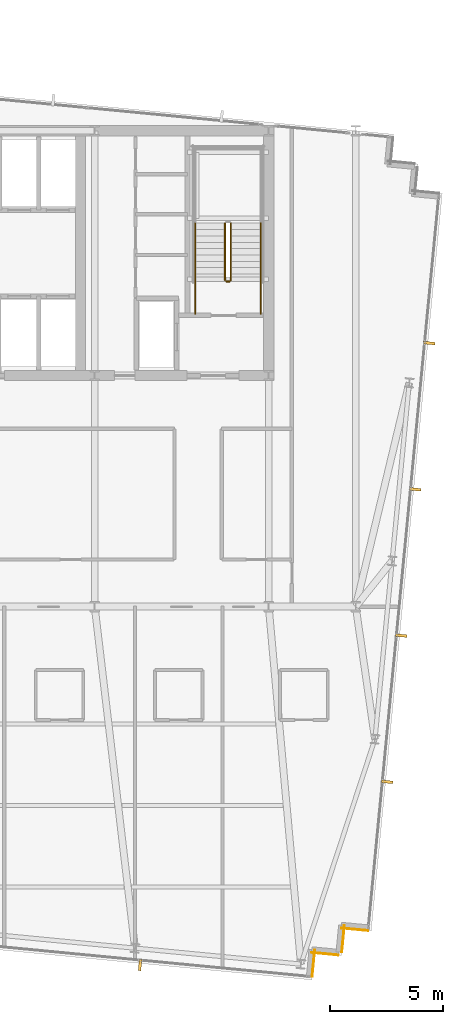
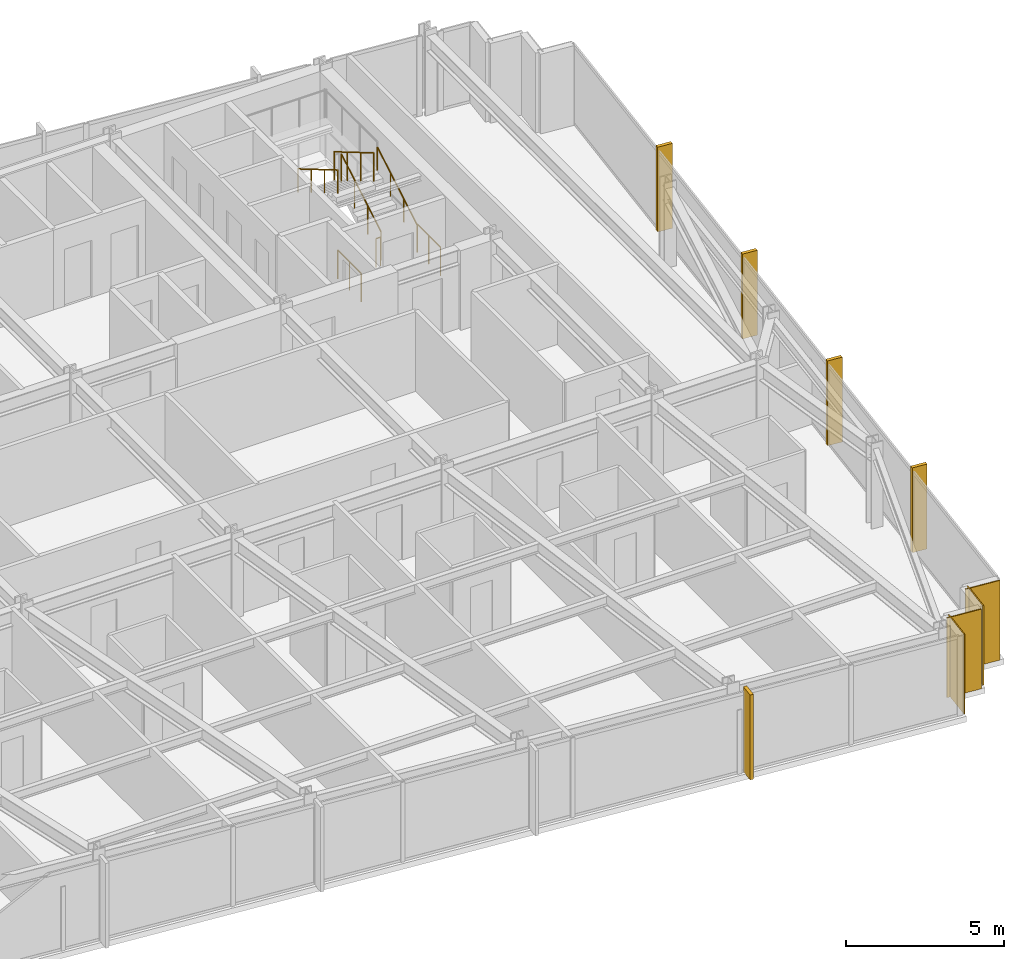
# One storey, part 35 of 37: 7 railings, 5 shading devices, 4 coverings.
"""IFC4 building model written with IfcOpenShell, lengths in metres."""

from ifc_helpers import new_model, si_unit, direction, frame, frame_2d, origin, origin_2d, place, context, subcontext, project, spatial, rectangle, circle, extrude, material, layer, layer_set, type_object, element, save


model = new_model("IFC4")

# Units and contexts
model_context = context("Model", 3, precision=1e-05, world=origin(), true_north=direction((0.0, 1.0)))
body_context = subcontext(model_context, "Body", "Model", "MODEL_VIEW")
ifc_project = project(units=[si_unit("LENGTHUNIT", "METRE"), si_unit("AREAUNIT", "SQUARE_METRE"), si_unit("VOLUMEUNIT", "CUBIC_METRE"), si_unit("PLANEANGLEUNIT", "RADIAN"), si_unit("MASSUNIT", "GRAM", prefix="KILO")], contexts=[model_context])

# Site, building, storey
site_placement = place(None, origin())
site = spatial("IfcSite", under=ifc_project, at=site_placement, CompositionType="ELEMENT")
building_placement = place(site_placement, origin())
building = spatial("IfcBuilding", under=site, at=building_placement, Name="Yelkora Congress Tower", CompositionType="ELEMENT")
storey_placement = place(building_placement, frame((0.0, 0.0, 162.199951171875)))
storey = spatial("IfcBuildingStorey", under=building, at=storey_placement, Name="L44", CompositionType="ELEMENT", Elevation=162.199951171875)

# Coverings
ifc_material_1 = material(Name="Anatolian bush-hammered limestone", Category="masonry")
ifc_layer_1 = layer(ifc_material_1, 0.0400390625)
ifc_layer_set_1 = layer_set([ifc_layer_1], Name="Anatolian bush-hammered limestone")
covering_type = type_object("IfcCoveringType", Name="COV-CLAD-SPANDREL-40", PredefinedType="CLADDING", material=ifc_layer_set_1)
covering_1_placement = place(storey_placement, frame((58.1474609375, 10.898681640625, 0.0), z_axis=(0.0, 0.0, 1.0), x_axis=(-0.995379537303, 0.096018626938, 0.0)))
element("IfcCovering", 1, at=covering_1_placement, inside=storey, type_object=covering_type, Name="L44 Anatolian Limestone Cladding EW-L44-SR16", PredefinedType="CLADDING", context=body_context, shape_type="SweptSolid", body=[
    extrude(rectangle(XDim=1.2001953125, YDim=0.0400390625, at=frame_2d((0.60009765625, 0.0))), origin(), (0.0, 0.0, 1.0), 3.080078125),
])
covering_2_placement = place(storey_placement, frame((57.10009765625, 11.13525390625, 0.0), z_axis=(0.0, 0.0, 1.0), x_axis=(-0.095836473879, -0.995397091755, 0.0)))
element("IfcCovering", 2, at=covering_2_placement, inside=storey, type_object=covering_type, Name="L44 Anatolian Limestone Cladding EW-L44-SR17", PredefinedType="CLADDING", context=body_context, shape_type="SweptSolid", body=[
    extrude(rectangle(XDim=1.199951171875, YDim=0.0400390625, at=frame_2d((0.60009765625, 0.0))), origin(), (0.0, 0.0, 1.0), 3.080078125),
])
for number, where, z_axis, x_axis, name in (
    (3, (56.837890625, 9.8193359375, 0.0), (0.0, 0.0, 1.0), (-0.995398960025, 0.095817067274, 0.0), "L44 Anatolian Limestone Cladding EW-L44-SR18"),
    (4, (55.790771484375, 10.055908203125, 0.0), (0.0, 0.0, 1.0), (-0.095817067274, -0.995398960025, 0.0), "L44 Anatolian Limestone Cladding EW-L44-SR19"),
):
    element("IfcCovering", number, at=place(storey_placement, frame(where, z_axis=z_axis, x_axis=x_axis)), inside=storey, type_object=covering_type, Name=name, PredefinedType="CLADDING", context=body_context, shape_type="SweptSolid", body=[
        extrude(rectangle(XDim=1.2001953125, YDim=0.0400390625, at=frame_2d((0.60009765625, 0.0))), origin(), (0.0, 0.0, 1.0), 3.080078125),
    ])

# Railings
ifc_material_2 = material(Name="Painted galvanised steel stair well guard with vertical infill", Category="steel")
ifc_layer_2 = layer(ifc_material_2, 0.06005859375)
ifc_layer_set_2 = layer_set([ifc_layer_2], Name="Painted galvanised steel stair well guard with vertical infill")
railing_type_1 = type_object("IfcRailingType", Name="RAIL-STAIR-GUARD-1120", PredefinedType="GUARDRAIL", material=ifc_layer_set_2)
railing_1_placement = place(storey_placement, frame((52.090087890625, 39.60009765625, 0.1650390625)))
element("IfcRailing", 5, at=railing_1_placement, inside=storey, type_object=railing_type_1, Name="ST-02 L44 Stair Well Guardrail 1", PredefinedType="GUARDRAIL", context=body_context, shape_type="SweptSolid", body=[
    extrude(circle(Radius=0.02392578125, at=origin_2d()), frame((0.0, 0.0, 1.09619140625), z_axis=(0.0, 0.86152411907, 0.507716645641), x_axis=(-1.0, 0.0, 0.0)), (0.0, 0.0, 1.0), 2.925048828125),
    extrude(circle(Radius=0.02099609375, at=origin_2d()), origin(), (0.0, 0.0, 1.0), 1.072021484375),
    extrude(circle(Radius=0.02099609375, at=origin_2d()), frame((0.0, 0.840087890625, 0.4951171875)), (0.0, 0.0, 1.0), 1.072021484375),
    extrude(circle(Radius=0.02099609375, at=origin_2d()), frame((0.0, 1.679931640625, 0.989990234375)), (0.0, 0.0, 1.0), 1.072021484375),
    extrude(circle(Radius=0.02099609375, at=origin_2d()), frame((0.0, 2.52001953125, 1.485107421875)), (0.0, 0.0, 1.0), 1.072021484375),
])
railing_2_placement = place(storey_placement, frame((51.830078125, 42.1201171875, 1.81494140625)))
element("IfcRailing", 6, at=railing_2_placement, inside=storey, type_object=railing_type_1, Name="ST-02 L44 Stair Well Guardrail 6", PredefinedType="GUARDRAIL", context=body_context, shape_type="SweptSolid", body=[
    extrude(circle(Radius=0.02392578125, at=origin_2d()), frame((0.0, 0.0, 1.09619140625), z_axis=(0.0, -0.86152411907, 0.507716645641), x_axis=(1.0, 0.0, 0.0)), (0.0, 0.0, 1.0), 2.925048828125),
    extrude(circle(Radius=0.02099609375, at=origin_2d()), origin(), (0.0, 0.0, 1.0), 1.072021484375),
    extrude(circle(Radius=0.02099609375, at=origin_2d()), frame((0.0, -0.840087890625, 0.4951171875)), (0.0, 0.0, 1.0), 1.072021484375),
    extrude(circle(Radius=0.02099609375, at=origin_2d()), frame((0.0, -1.679931640625, 0.989990234375)), (0.0, 0.0, 1.0), 1.072021484375),
    extrude(circle(Radius=0.02099609375, at=origin_2d()), frame((0.0, -2.52001953125, 1.485107421875)), (0.0, 0.0, 1.0), 1.072021484375),
])
railing_3_placement = place(storey_placement, frame((52.0400390625, 39.550048828125, 0.0)))
element("IfcRailing", 7, at=railing_3_placement, inside=storey, type_object=railing_type_1, Name="ST-02 L44 Stair Well Guardrail 7", PredefinedType="GUARDRAIL", context=body_context, shape_type="SweptSolid", body=[
    extrude(circle(Radius=0.02392578125, at=origin_2d()), frame((0.0, 0.0, 1.09619140625), z_axis=(-1.0, 0.0, 0.0), x_axis=(0.0, -1.0, 0.0)), (0.0, 0.0, 1.0), 0.16015625),
    extrude(circle(Radius=0.02099609375, at=origin_2d()), origin(), (0.0, 0.0, 1.0), 1.072021484375),
    extrude(circle(Radius=0.02099609375, at=origin_2d()), frame((-0.16015625, 0.0, 0.0)), (0.0, 0.0, 1.0), 1.072021484375),
])
for number, where, name in (
    (8, (53.409912109375, 38.1201171875, 0.0), "ST-02 L44 Stair Well Guardrail 8"),
    (9, (50.510009765625, 38.1201171875, 0.0), "ST-02 L44 Stair Well Guardrail 9"),
):
    element("IfcRailing", number, at=place(storey_placement, frame(where)), inside=storey, type_object=railing_type_1, Name=name, PredefinedType="GUARDRAIL", context=body_context, shape_type="SweptSolid", body=[
        extrude(circle(Radius=0.02392578125, at=origin_2d()), frame((0.0, 0.0, 1.09619140625), z_axis=(0.0, 1.0, 0.0), x_axis=(-1.0, 0.0, 0.0)), (0.0, 0.0, 1.0), 1.47998046875),
        extrude(circle(Radius=0.02099609375, at=origin_2d()), origin(), (0.0, 0.0, 1.0), 1.072021484375),
        extrude(circle(Radius=0.02099609375, at=origin_2d()), frame((0.0, 0.739990234375, 0.0)), (0.0, 0.0, 1.0), 1.072021484375),
        extrude(circle(Radius=0.02099609375, at=origin_2d()), frame((0.0, 1.47998046875, 0.0)), (0.0, 0.0, 1.0), 1.072021484375),
    ])
ifc_material_3 = material(Name="Brushed stainless steel tubular handrail", Category="steel")
ifc_layer_3 = layer(ifc_material_3, 0.050048828125)
ifc_layer_set_3 = layer_set([ifc_layer_3], Name="Brushed stainless steel tubular handrail")
railing_type_2 = type_object("IfcRailingType", Name="RAIL-STAIR-HAND-920", PredefinedType="HANDRAIL", material=ifc_layer_set_3)
railing_4_placement = place(storey_placement, frame((53.409912109375, 39.60009765625, 0.1650390625)))
element("IfcRailing", 10, at=railing_4_placement, inside=storey, type_object=railing_type_2, Name="ST-02 L44 Pitch Handrail 1", PredefinedType="HANDRAIL", context=body_context, shape_type="SweptSolid", body=[
    extrude(circle(Radius=0.02392578125, at=origin_2d()), frame((0.0, 0.0, 0.89599609375), z_axis=(0.0, 0.86152411907, 0.507716645641), x_axis=(-1.0, 0.0, 0.0)), (0.0, 0.0, 1.0), 2.925048828125),
    extrude(circle(Radius=0.02099609375, at=origin_2d()), origin(), (0.0, 0.0, 1.0), 0.871826171875),
    extrude(circle(Radius=0.02099609375, at=origin_2d()), frame((0.0, 0.840087890625, 0.4951171875)), (0.0, 0.0, 1.0), 0.871826171875),
    extrude(circle(Radius=0.02099609375, at=origin_2d()), frame((0.0, 1.679931640625, 0.989990234375)), (0.0, 0.0, 1.0), 0.871826171875),
    extrude(circle(Radius=0.02099609375, at=origin_2d()), frame((0.0, 2.52001953125, 1.485107421875)), (0.0, 0.0, 1.0), 0.871826171875),
])
railing_5_placement = place(storey_placement, frame((50.510009765625, 42.1201171875, 1.81494140625)))
element("IfcRailing", 11, at=railing_5_placement, inside=storey, type_object=railing_type_2, Name="ST-02 L44 Pitch Handrail 2", PredefinedType="HANDRAIL", context=body_context, shape_type="SweptSolid", body=[
    extrude(circle(Radius=0.02392578125, at=origin_2d()), frame((0.0, 0.0, 0.89599609375), z_axis=(0.0, -0.86152411907, 0.507716645641), x_axis=(1.0, 0.0, 0.0)), (0.0, 0.0, 1.0), 2.925048828125),
    extrude(circle(Radius=0.02099609375, at=origin_2d()), origin(), (0.0, 0.0, 1.0), 0.871826171875),
    extrude(circle(Radius=0.02099609375, at=origin_2d()), frame((0.0, -0.840087890625, 0.4951171875)), (0.0, 0.0, 1.0), 0.871826171875),
    extrude(circle(Radius=0.02099609375, at=origin_2d()), frame((0.0, -1.679931640625, 0.989990234375)), (0.0, 0.0, 1.0), 0.871826171875),
    extrude(circle(Radius=0.02099609375, at=origin_2d()), frame((0.0, -2.52001953125, 1.485107421875)), (0.0, 0.0, 1.0), 0.871826171875),
])

# Shading devices
ifc_material_4 = material(Name="Champagne anodised aluminium", Category="aluminium")
ifc_layer_4 = layer(ifc_material_4, 3.300048828125)
ifc_layer_set_4 = layer_set([ifc_layer_4], Name="Champagne anodised aluminium")
shading_device_type = type_object("IfcShadingDeviceType", Name="SHD-FIN-ALU-520", PredefinedType="USERDEFINED", material=ifc_layer_set_4)
for number, where, z_axis, x_axis, name in (
    (12, (60.84521484375, 36.83056640625, -0.02978515625), (0.0, 0.0, 1.0), (-0.09584575252, -0.995396198367, 0.0), "L44 Vertical Anodised Solar Fin 15-1"),
    (13, (60.223876953125, 30.37646484375, -0.02978515625), (0.0, 0.0, 1.0), (-0.09584575252, -0.995396198367, 0.0), "L44 Vertical Anodised Solar Fin 15-2"),
    (14, (59.602294921875, 23.92236328125, -0.02978515625), (0.0, 0.0, 1.0), (-0.09584575252, -0.995396198367, 0.0), "L44 Vertical Anodised Solar Fin 15-3"),
    (15, (58.98095703125, 17.46826171875, -0.02978515625), (0.0, 0.0, 1.0), (-0.09584575252, -0.995396198367, 0.0), "L44 Vertical Anodised Solar Fin 15-4"),
    (16, (48.082275390625, 9.3916015625, -0.02978515625), (0.0, 0.0, 1.0), (-0.995396198367, 0.09584575252, 0.0), "L44 Vertical Anodised Solar Fin 20-1"),
):
    element("IfcShadingDevice", number, at=place(storey_placement, frame(where, z_axis=z_axis, x_axis=x_axis)), inside=storey, type_object=shading_device_type, Name=name, ObjectType="FIN", PredefinedType="USERDEFINED", context=body_context, shape_type="SweptSolid", body=[
        extrude(rectangle(XDim=0.1201171875, YDim=0.52001953125, at=origin_2d()), origin(), (0.0, 0.0, 1.0), 3.280029296875),
    ])

save(model, "model.ifc")
